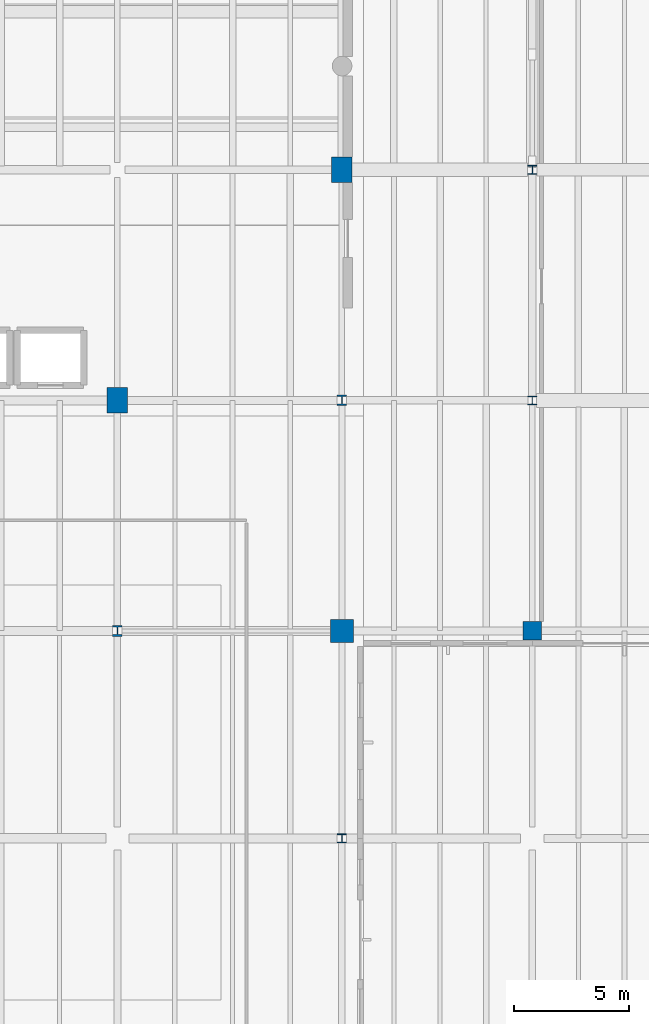
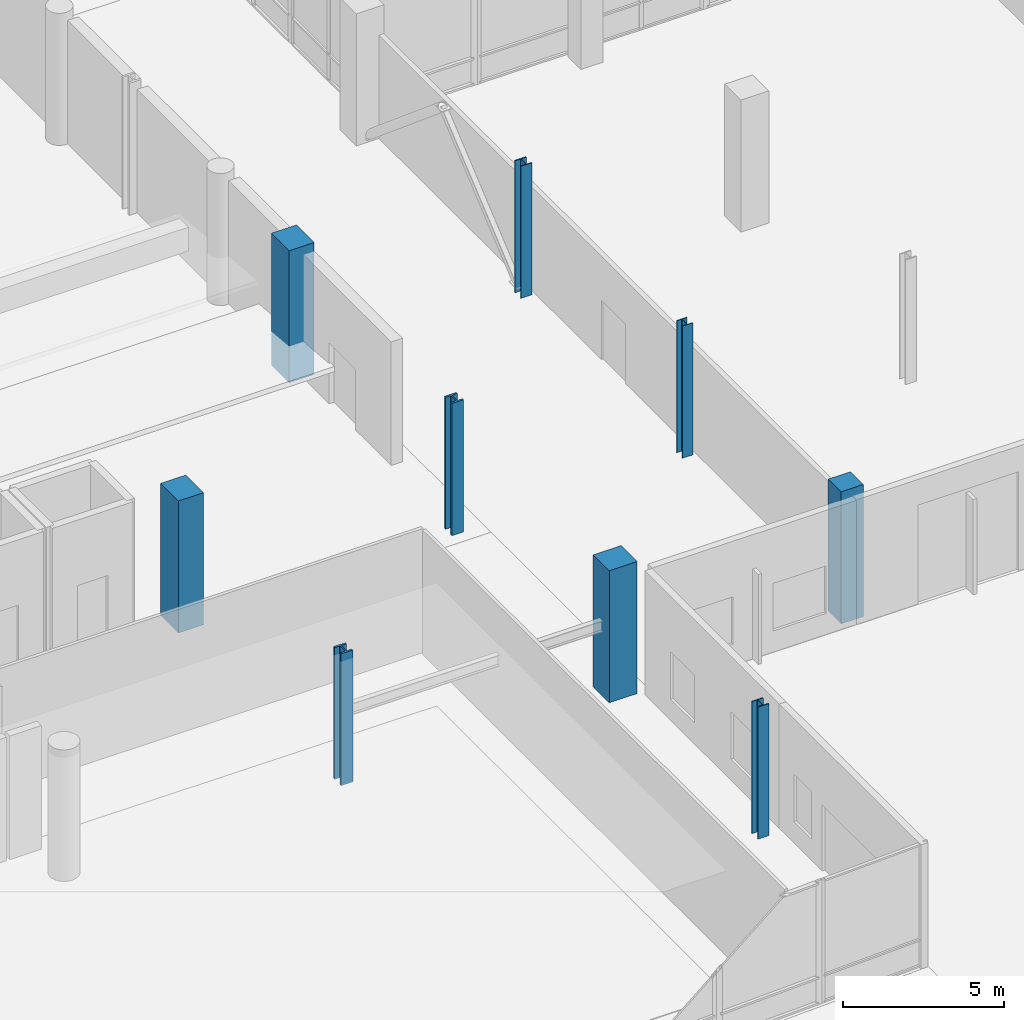
# One storey, part 6 of 88: 9 columns.
"""IFC4 building model written with IfcOpenShell, lengths in metres."""

from ifc_helpers import new_model, si_unit, direction, frame, origin, origin_2d, place, context, subcontext, project, spatial, rectangle, i_section, extrude, material, material_profile, profile_set, type_object, element, save


model = new_model("IFC4")

# Units and contexts
model_context = context("Model", 3, precision=1e-05, world=origin(), true_north=direction((0.0, 1.0)))
body_context = subcontext(model_context, "Body", "Model", "MODEL_VIEW")
ifc_project = project(units=[si_unit("LENGTHUNIT", "METRE"), si_unit("AREAUNIT", "SQUARE_METRE"), si_unit("VOLUMEUNIT", "CUBIC_METRE"), si_unit("PLANEANGLEUNIT", "RADIAN"), si_unit("MASSUNIT", "GRAM", prefix="KILO")], contexts=[model_context])

# Site, building, storey
site_placement = place(None, origin())
site = spatial("IfcSite", under=ifc_project, at=site_placement, CompositionType="ELEMENT")
building_placement = place(site_placement, origin())
building = spatial("IfcBuilding", under=site, at=building_placement, Name="Trimount Lyric Opera House", CompositionType="ELEMENT")
storey_placement = place(building_placement, origin())
storey = spatial("IfcBuildingStorey", under=building, at=storey_placement, Name="L00", CompositionType="ELEMENT", Elevation=0.0)

# Columns
ifc_material_1 = material(Name="Steel ASTM A992 Grade 50", Category="steel")
ifc_material_profile_1 = material_profile(ifc_material_1, i_section(OverallWidth=0.422119140625, OverallDepth=0.465087890625, WebThickness=0.044921875, FlangeThickness=0.072509765625, FilletRadius=0.02001953125, at=origin_2d()), Name="W14X398")
ifc_profile_set_1 = profile_set([ifc_material_profile_1], Name="Steel ASTM A992 Grade 50")
column_type_1 = type_object("IfcColumnType", Name="C-01", PredefinedType="COLUMN", material=ifc_profile_set_1)
column_1_placement = place(storey_placement, frame((113.739990234375, 54.0, 0.0), z_axis=(0.0, 0.0, 1.0), x_axis=(1.0, 0.0, 0.0)))
element("IfcColumn", 1, at=column_1_placement, inside=storey, type_object=column_type_1, Name="L00 column 13/G", PredefinedType="COLUMN", context=body_context, shape_type="SweptSolid", body=[
    extrude(i_section(OverallWidth=0.422119140625, OverallDepth=0.465087890625, WebThickness=0.044921875, FlangeThickness=0.072509765625, FilletRadius=0.02001953125, at=origin_2d()), origin(), (0.0, 0.0, 1.0), 5.0),
])
ifc_material_2 = material(Name="Steel ASTM A992 Grade 50", Category="steel")
ifc_material_profile_2 = material_profile(ifc_material_2, i_section(OverallWidth=0.39892578125, OverallDepth=0.385986328125, WebThickness=0.02099609375, FlangeThickness=0.033203125, FilletRadius=0.01611328125, at=origin_2d()), Name="W14X176")
ifc_profile_set_2 = profile_set([ifc_material_profile_2], Name="Steel ASTM A992 Grade 50")
column_type_2 = type_object("IfcColumnType", Name="C-03", PredefinedType="COLUMN", material=ifc_profile_set_2)
for number, where, z_axis, x_axis, name in (
    (2, (113.739990234375, 35.0, 0.0), (0.0, 0.0, 1.0), (1.0, 0.0, 0.0), "L00 column 13/E"),
    (3, (122.0, 64.0, 0.0), (0.0, 0.0, 1.0), (1.0, 0.0, 0.0), "L00 column 14/H"),
):
    element("IfcColumn", number, at=place(storey_placement, frame(where, z_axis=z_axis, x_axis=x_axis)), inside=storey, type_object=column_type_2, Name=name, PredefinedType="COLUMN", context=body_context, shape_type="SweptSolid", body=[
        extrude(i_section(OverallWidth=0.39892578125, OverallDepth=0.385986328125, WebThickness=0.02099609375, FlangeThickness=0.033203125, FilletRadius=0.01611328125, at=origin_2d()), origin(), (0.0, 0.0, 1.0), 5.0),
    ])
ifc_material_3 = material(Name="Steel ASTM A992 Grade 50", Category="steel")
ifc_material_profile_3 = material_profile(ifc_material_3, i_section(OverallWidth=0.373046875, OverallDepth=0.367919921875, WebThickness=0.014892578125, FlangeThickness=0.02392578125, FilletRadius=0.014892578125, at=origin_2d()), Name="W14X120")
ifc_profile_set_3 = profile_set([ifc_material_profile_3], Name="Steel ASTM A992 Grade 50")
column_type_3 = type_object("IfcColumnType", Name="C-08", PredefinedType="COLUMN", material=ifc_profile_set_3)
column_2_placement = place(storey_placement, frame((122.0, 54.0, 0.0), z_axis=(0.0, 0.0, 1.0), x_axis=(1.0, 0.0, 0.0)))
element("IfcColumn", 4, at=column_2_placement, inside=storey, type_object=column_type_3, Name="L00 column 14/G", PredefinedType="COLUMN", context=body_context, shape_type="SweptSolid", body=[
    extrude(i_section(OverallWidth=0.373046875, OverallDepth=0.367919921875, WebThickness=0.014892578125, FlangeThickness=0.02392578125, FilletRadius=0.014892578125, at=origin_2d()), origin(), (0.0, 0.0, 1.0), 5.0),
])
ifc_material_4 = material(Name="Steel ASTM A992 Grade 50", Category="steel")
ifc_material_profile_4 = material_profile(ifc_material_4, i_section(OverallWidth=0.422119140625, OverallDepth=0.465087890625, WebThickness=0.044921875, FlangeThickness=0.072509765625, FilletRadius=0.02001953125, at=origin_2d()), Name="W14X398")
ifc_profile_set_4 = profile_set([ifc_material_profile_4], Name="Steel ASTM A992 Grade 50")
column_type_4 = type_object("IfcColumnType", Name="C-10", PredefinedType="COLUMN", material=ifc_profile_set_4)
column_3_placement = place(storey_placement, frame((104.0, 44.0, 0.0), z_axis=(0.0, 0.0, 1.0), x_axis=(1.0, 0.0, 0.0)))
element("IfcColumn", 5, at=column_3_placement, inside=storey, type_object=column_type_4, Name="L00 column 12/F", PredefinedType="COLUMN", context=body_context, shape_type="SweptSolid", body=[
    extrude(i_section(OverallWidth=0.422119140625, OverallDepth=0.465087890625, WebThickness=0.044921875, FlangeThickness=0.072509765625, FilletRadius=0.02001953125, at=origin_2d()), origin(), (0.0, 0.0, 1.0), 5.0),
])
ifc_material_5 = material(Name="Concrete C50/60", Category="concrete")
ifc_material_profile_5 = material_profile(ifc_material_5, rectangle(XDim=0.89990234375, YDim=1.10009765625, at=origin_2d()), Name="RC1100X900")
ifc_profile_set_5 = profile_set([ifc_material_profile_5], Name="Concrete C50/60")
column_type_5 = type_object("IfcColumnType", Name="C-11", PredefinedType="COLUMN", material=ifc_profile_set_5)
for number, where, z_axis, x_axis, name in (
    (6, (104.0, 54.0, 0.0), (0.0, 0.0, 1.0), (1.0, 0.0, 0.0), "L00 column 12/G"),
    (7, (113.739990234375, 64.0, 0.0), (0.0, 0.0, 1.0), (1.0, 0.0, 0.0), "L00 column 13/H"),
):
    element("IfcColumn", number, at=place(storey_placement, frame(where, z_axis=z_axis, x_axis=x_axis)), inside=storey, type_object=column_type_5, Name=name, PredefinedType="COLUMN", context=body_context, shape_type="SweptSolid", body=[
        extrude(rectangle(XDim=0.89990234375, YDim=1.10009765625, at=origin_2d()), origin(), (0.0, 0.0, 1.0), 5.0),
    ])
ifc_material_6 = material(Name="Concrete C50/60", Category="concrete")
ifc_material_profile_6 = material_profile(ifc_material_6, rectangle(XDim=1.0, YDim=1.0, at=origin_2d()), Name="RC1000X1000")
ifc_profile_set_6 = profile_set([ifc_material_profile_6], Name="Concrete C50/60")
column_type_6 = type_object("IfcColumnType", Name="C-12", PredefinedType="COLUMN", material=ifc_profile_set_6)
column_4_placement = place(storey_placement, frame((113.739990234375, 44.0, 0.0), z_axis=(0.0, 0.0, 1.0), x_axis=(1.0, 0.0, 0.0)))
element("IfcColumn", 8, at=column_4_placement, inside=storey, type_object=column_type_6, Name="L00 column 13/F", PredefinedType="COLUMN", context=body_context, shape_type="SweptSolid", body=[
    extrude(rectangle(XDim=1.0, YDim=1.0, at=origin_2d()), origin(), (0.0, 0.0, 1.0), 5.0),
])
ifc_material_7 = material(Name="Concrete C40/50", Category="concrete")
ifc_material_profile_7 = material_profile(ifc_material_7, rectangle(XDim=0.800048828125, YDim=0.800048828125, at=origin_2d()), Name="RC800X800")
ifc_profile_set_7 = profile_set([ifc_material_profile_7], Name="Concrete C40/50")
column_type_7 = type_object("IfcColumnType", Name="C-14", PredefinedType="COLUMN", material=ifc_profile_set_7)
column_5_placement = place(storey_placement, frame((122.0, 44.0, 0.0), z_axis=(0.0, 0.0, 1.0), x_axis=(1.0, 0.0, 0.0)))
element("IfcColumn", 9, at=column_5_placement, inside=storey, type_object=column_type_7, Name="L00 column 14/F", PredefinedType="COLUMN", context=body_context, shape_type="SweptSolid", body=[
    extrude(rectangle(XDim=0.800048828125, YDim=0.800048828125, at=origin_2d()), origin(), (0.0, 0.0, 1.0), 5.0),
])

save(model, "model.ifc")
